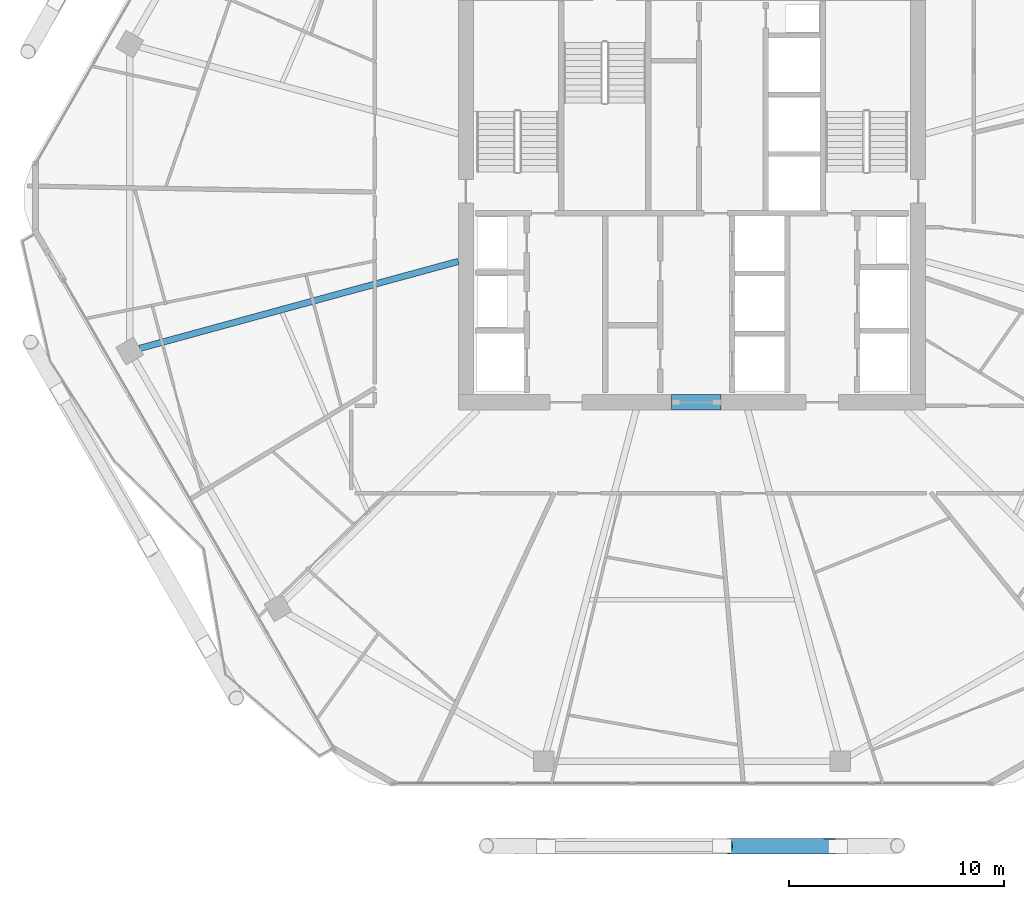
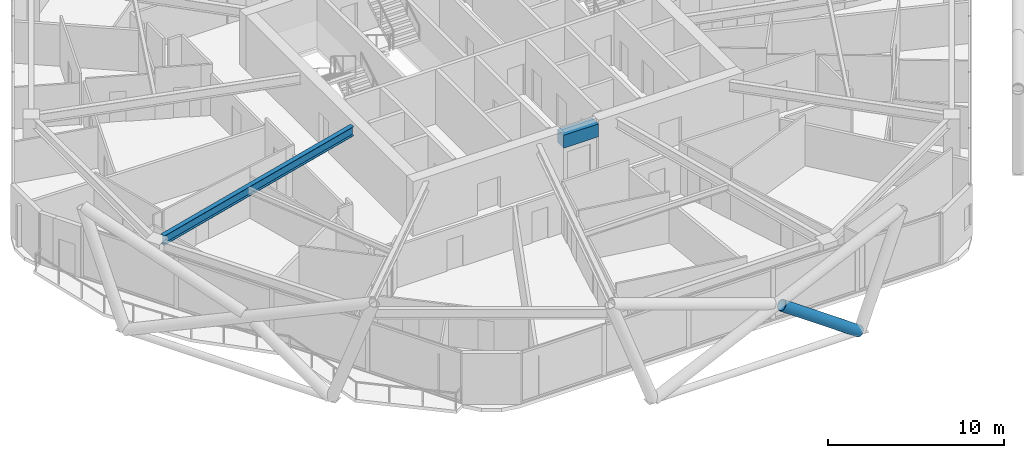
# One storey, part 6 of 27: 2 beams, 1 member.
"""IFC4 building model written with IfcOpenShell, lengths in metres."""

from ifc_helpers import new_model, si_unit, direction, frame, origin, origin_2d, place, context, subcontext, project, spatial, rectangle, hollow_circle, i_section, extrude, material, material_profile, profile_set, type_object, element, save


model = new_model("IFC4")

# Units and contexts
model_context = context("Model", 3, precision=1e-05, world=origin(), true_north=direction((0.0, 1.0)))
body_context = subcontext(model_context, "Body", "Model", "MODEL_VIEW")
ifc_project = project(units=[si_unit("LENGTHUNIT", "METRE"), si_unit("AREAUNIT", "SQUARE_METRE"), si_unit("VOLUMEUNIT", "CUBIC_METRE"), si_unit("PLANEANGLEUNIT", "RADIAN"), si_unit("MASSUNIT", "GRAM", prefix="KILO")], contexts=[model_context])

# Site, building, storey
site_placement = place(None, origin())
site = spatial("IfcSite", under=ifc_project, at=site_placement, CompositionType="ELEMENT")
building_placement = place(site_placement, origin())
building = spatial("IfcBuilding", under=site, at=building_placement, Name="Zuhravey Tower", CompositionType="ELEMENT")
storey_placement = place(building_placement, frame((0.0, 0.0, 215.0)))
storey = spatial("IfcBuildingStorey", under=building, at=storey_placement, Name="L54", CompositionType="ELEMENT", Elevation=215.0)

# Beam
ifc_material_1 = material(Name="Concrete C60/75", Category="concrete")
ifc_material_profile_1 = material_profile(ifc_material_1, rectangle(XDim=0.699951171875, YDim=0.89990234375, at=origin_2d()), Name="RC-700x900")
ifc_profile_set_1 = profile_set([ifc_material_profile_1], Name="Concrete C60/75")
beam_type_1 = type_object("IfcBeamType", Name="Core Coupling Beam RC700x900", PredefinedType="LINTEL", material=ifc_profile_set_1)
beam_1_placement = place(storey_placement, frame((35.052001953125, 22.5, 3.10009765625), z_axis=(1.0, 0.0, 0.0), x_axis=(0.0, 1.0, 0.0)))
element("IfcBeam", 1, at=beam_1_placement, inside=storey, type_object=beam_type_1, Name="L54 CB1 BM-L54-CB-S", PredefinedType="LINTEL", context=body_context, shape_type="SweptSolid", body=[
    extrude(rectangle(XDim=0.699951171875, YDim=0.89990234375, at=origin_2d()), origin(), (0.0, 0.0, 1.0), 2.2958984375),
])

# Member
ifc_material_2 = material(Name="Steel SM460", Category="steel")
ifc_material_profile_2 = material_profile(ifc_material_2, hollow_circle(Radius=0.355712890625, WallThickness=0.031982421875, at=origin_2d()), Name="CHS-711.2x32")
ifc_profile_set_2 = profile_set([ifc_material_profile_2], Name="Steel SM460")
member_type = type_object("IfcMemberType", Name="Exoskeleton Zone 2 Diagrid CHS711x32", PredefinedType="BRACE", material=ifc_profile_set_2)
member_placement = place(storey_placement, frame((42.7421875, 1.876953125, -0.436767578125), z_axis=(-0.81749967084, 0.002281980023, 0.575924544314), x_axis=(-0.00279140312, -0.999996104027, 0.0)))
element("IfcMember", 2, at=member_placement, inside=storey, type_object=member_type, Name="L54 Face 5 Split Diagrid Brace 3A", PredefinedType="BRACE", context=body_context, shape_type="SweptSolid", body=[
    extrude(hollow_circle(Radius=0.355712890625, WallThickness=0.031982421875, at=origin_2d()), origin(), (0.0, 0.0, 1.0), 6.205322265625),
])

# Beam
ifc_material_3 = material(Name="Steel SM355", Category="steel")
ifc_material_profile_3 = material_profile(ifc_material_3, i_section(OverallWidth=0.300048828125, OverallDepth=0.64990234375, WebThickness=0.012939453125, FlangeThickness=0.02197265625, at=origin_2d()), Name="H-650x300x13x22")
ifc_profile_set_3 = profile_set([ifc_material_profile_3], Name="Steel SM355")
beam_type_2 = type_object("IfcBeamType", Name="Radial Primary Girder H650x300", PredefinedType="BEAM", material=ifc_profile_set_3)
beam_2_placement = place(storey_placement, frame((25.14697265625, 29.03759765625, 3.22509765625), z_axis=(-0.964701703464, -0.263345065139, 0.0), x_axis=(0.263345065139, -0.964701703464, 0.0)))
element("IfcBeam", 3, at=beam_2_placement, inside=storey, type_object=beam_type_2, Name="L54 RG2 BM-L54-RAD-07", PredefinedType="BEAM", context=body_context, shape_type="SweptSolid", body=[
    extrude(i_section(OverallWidth=0.300048828125, OverallDepth=0.64990234375, WebThickness=0.012939453125, FlangeThickness=0.02197265625, at=origin_2d()), origin(), (0.0, 0.0, 1.0), 15.334716796875),
])

save(model, "model.ifc")
